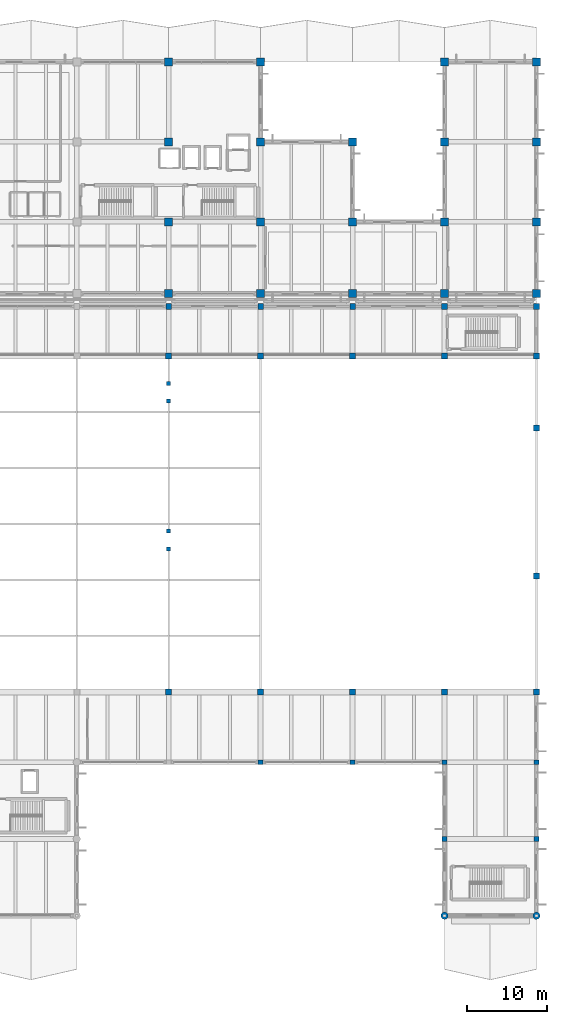
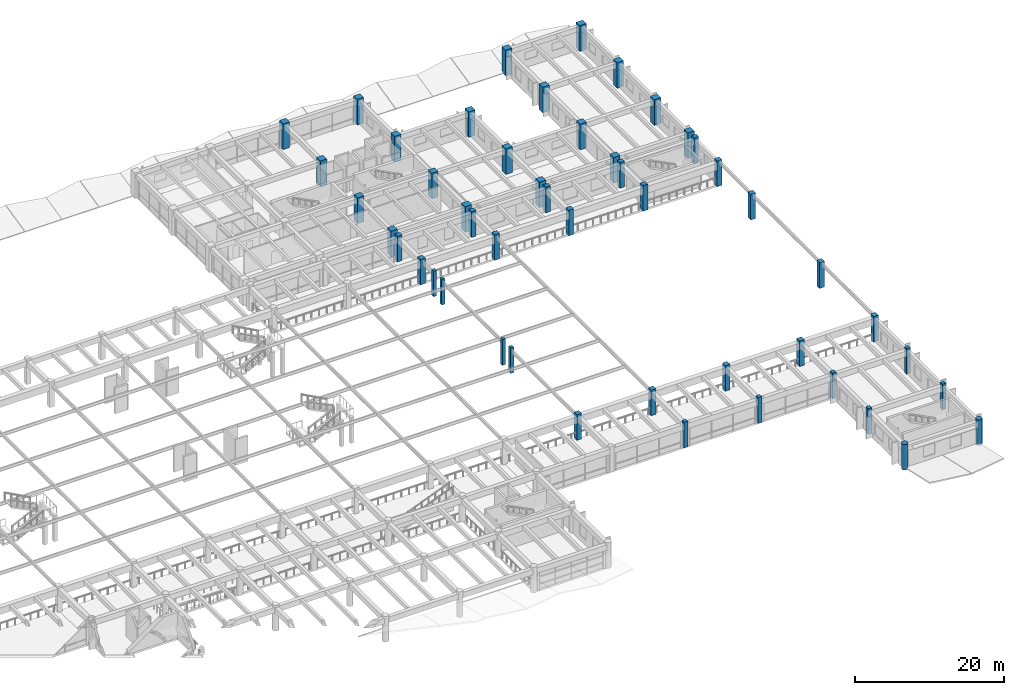
# One storey, part 2 of 98: 48 columns.
"""IFC4 building model written with IfcOpenShell, lengths in metres."""

import ifcopenshell
import ifcopenshell.guid

model = None  # the IFC model being written
_history = None  # IfcOwnerHistory: only IFC2X3 demands one
_inside = {}  # id of a spatial element -> (the spatial element, [elements in it])
_under = {}  # id of a project, library or spatial element -> (it, [spatial elements below it])
_declared = {}  # id of a project -> (the project, [libraries it declares])
_typed = {}  # id of a type object -> (the type object, [elements of that type])
_made_of = {}  # id of a material, layer set ... -> (it, [elements and type objects made of it])


def new_model(schema):
    """Start an empty IFC model of exactly this schema.

    Asked for "IFC4X3", IfcOpenShell would pick the latest addendum, in which some entities
    have other attributes; the version numbers below select the first issue.
    IFC2X3 requires an IfcOwnerHistory on every rooted entity: one is made here for all.
    """
    global model, _history
    if schema == "IFC4X3":
        model = ifcopenshell.file(schema_version=(4, 3, 0, 0))
    else:
        model = ifcopenshell.file(schema=schema)
    _inside.clear()
    _under.clear()
    _declared.clear()
    _typed.clear()
    _made_of.clear()
    _history = None
    if model.schema == "IFC2X3":
        org = make("IfcOrganization", Name="unknown")
        user = make(
            "IfcPersonAndOrganization",
            ThePerson=make("IfcPerson", FamilyName="unknown"),
            TheOrganization=org,
        )
        app = make(
            "IfcApplication",
            ApplicationDeveloper=org,
            Version="unknown",
            ApplicationFullName="unknown",
            ApplicationIdentifier="unknown",
        )
        _history = make(
            "IfcOwnerHistory",
            OwningUser=user,
            OwningApplication=app,
            ChangeAction="ADDED",
            CreationDate=0,
        )
    return model


def make(cls, **values):
    """One entity of the class cls with the attributes given. An attribute that is None is left unset."""
    return model.create_entity(
        cls, **{name: value for name, value in values.items() if value is not None}
    )


def rooted(cls, **values):
    """An entity with a GlobalId (a new one), such as an element, a storey or a relation."""
    return make(cls, GlobalId=ifcopenshell.guid.new(), OwnerHistory=_history, **values)


def si_unit(unit_type, name, prefix=None):
    """IfcSIUnit, for example si_unit("LENGTHUNIT", "METRE", prefix="MILLI")."""
    return make("IfcSIUnit", UnitType=unit_type, Prefix=prefix, Name=name)


def assignment(units):
    """IfcUnitAssignment: the units of a project."""
    return None if units is None else make("IfcUnitAssignment", Units=units)


def point(xyz):
    """IfcCartesianPoint."""
    return None if xyz is None else make("IfcCartesianPoint", Coordinates=xyz)


def direction(xyz):
    """IfcDirection."""
    return None if xyz is None else make("IfcDirection", DirectionRatios=xyz)


def frame(location, z_axis=None, x_axis=None):
    """IfcAxis2Placement3D, a coordinate frame: its origin and axes. An axis left out is left unset."""
    return make(
        "IfcAxis2Placement3D",
        Location=point(location),
        Axis=direction(z_axis),
        RefDirection=direction(x_axis),
    )


def frame_2d(location, x_axis=None):
    """IfcAxis2Placement2D, a coordinate frame in the plane: its origin and x axis."""
    return make(
        "IfcAxis2Placement2D", Location=point(location), RefDirection=direction(x_axis)
    )


def origin():
    """The frame at (0, 0, 0) with its axes left unset."""
    return frame((0.0, 0.0, 0.0))


def origin_2d():
    """The frame at (0, 0) in the plane with its x axis left unset."""
    return frame_2d((0.0, 0.0))


def place(relative_to, where):
    """IfcLocalPlacement: puts the frame where relative to a parent placement (None: the world)."""
    return make(
        "IfcLocalPlacement", PlacementRelTo=relative_to, RelativePlacement=where
    )


def context(
    kind, dimensions, precision=None, world=None, true_north=None, identifier=None
):
    """IfcGeometricRepresentationContext, for example the 3D "Model" context."""
    return make(
        "IfcGeometricRepresentationContext",
        ContextIdentifier=identifier,
        ContextType=kind,
        CoordinateSpaceDimension=dimensions,
        Precision=precision,
        WorldCoordinateSystem=world,
        TrueNorth=true_north,
    )


def subcontext(parent, identifier, kind, view, scale=None):
    """IfcGeometricRepresentationSubContext, for example "Body" below "Model"."""
    return make(
        "IfcGeometricRepresentationSubContext",
        ContextIdentifier=identifier,
        ContextType=kind,
        ParentContext=parent,
        TargetScale=scale,
        TargetView=view,
    )


def project(units=None, contexts=None):
    """IfcProject with its units and contexts."""
    return rooted(
        "IfcProject",
        Name="project",
        RepresentationContexts=contexts,
        UnitsInContext=assignment(units),
    )


def spatial(cls, under=None, at=None, **own):
    """A site, building, storey or space (cls), placed at a placement, below another one or the project."""
    s = rooted(cls, ObjectPlacement=at, **own)
    if under is not None:
        _under.setdefault(under.id(), (under, []))[1].append(s)
    return s


def profile(cls, at=None, kind="AREA", **sizes):
    """A parametric profile (cls). Its sizes go by their IFC names, for example OverallWidth=200.0."""
    return make(cls, ProfileType=kind, Position=at, **sizes)


def rectangle(**sizes):
    """IfcRectangleProfileDef."""
    return profile("IfcRectangleProfileDef", **sizes)


def circle(**sizes):
    """IfcCircleProfileDef."""
    return profile("IfcCircleProfileDef", **sizes)


def extrude(swept, where, along, depth):
    """IfcExtrudedAreaSolid: the profile swept, set in the frame where, extruded along a direction by depth."""
    return make(
        "IfcExtrudedAreaSolid",
        SweptArea=swept,
        Position=where,
        ExtrudedDirection=direction(along),
        Depth=depth,
    )


def shape(context_of_items, identifier, shape_type, items):
    """IfcShapeRepresentation: the items that make up one representation, for example the "Body"."""
    return make(
        "IfcShapeRepresentation",
        ContextOfItems=context_of_items,
        RepresentationIdentifier=identifier,
        RepresentationType=shape_type,
        Items=items,
    )


def material(Name=None, Category=None):
    """IfcMaterial."""
    return make("IfcMaterial", Name=Name, Category=Category)


def material_profile(
    of_material, cross_section, Name=None, Category=None, Priority=None
):
    """IfcMaterialProfile: a cross section and its material."""
    return make(
        "IfcMaterialProfile",
        Name=Name,
        Material=of_material,
        Profile=cross_section,
        Priority=Priority,
        Category=Category,
    )


def profile_set(profiles, Name=None, composite=None):
    """IfcMaterialProfileSet."""
    return make(
        "IfcMaterialProfileSet",
        Name=Name,
        MaterialProfiles=profiles,
        CompositeProfile=composite,
    )


def made_of(thing, what):
    """Note that an element or type object is made of a material, layer set ...; save() writes the relation."""
    if what is not None:
        _made_of.setdefault(what.id(), (what, []))[1].append(thing)
    return thing


def type_object(cls, material=None, **own):
    """A type object (cls), such as IfcWallType, which elements share."""
    return made_of(rooted(cls, **own), material)


def element(
    cls,
    number,
    at=None,
    inside=None,
    cuts=None,
    type_object=None,
    material=None,
    context=None,
    identifier="Body",
    shape_type=None,
    held_by="IfcProductDefinitionShape",
    body=None,
    shapes=None,
    **own,
):
    """One element of the class cls, such as IfcWall. Its Tag is "e" and its number.

    at: its placement. inside: the storey or other place that contains it. cuts: it is an
    opening in that element (IfcRelVoidsElement). A single representation is given by context,
    identifier, shape_type and body (its items); several are given by shapes. held_by: the class
    of the entity that holds the representations. save() writes the other relations.
    """
    e = rooted(cls, Tag="e%d" % number, ObjectPlacement=at, **own)
    if body is not None:
        shapes = [shape(context, identifier, shape_type, body)]
    if shapes is not None:
        e.Representation = make(held_by, Representations=shapes)
    if inside is not None:
        _inside.setdefault(inside.id(), (inside, []))[1].append(e)
    if cuts is not None:
        rooted(
            "IfcRelVoidsElement", RelatingBuildingElement=cuts, RelatedOpeningElement=e
        )
    if type_object is not None:
        _typed.setdefault(type_object.id(), (type_object, []))[1].append(e)
    return made_of(e, material)


def aggregate(whole, parts):
    """IfcRelAggregates: a whole, such as a stair, and the parts it consists of."""
    return rooted("IfcRelAggregates", RelatingObject=whole, RelatedObjects=parts)


def save(model, path):
    """Write the relations noted so far, then the file.

    IfcRelAggregates (storeys below a building ...), IfcRelContainedInSpatialStructure (elements
    in a storey), IfcRelDefinesByType, IfcRelAssociatesMaterial and IfcRelDeclares: one each for
    every whole, place, type object, material and project.
    """
    for whole, parts in _under.values():
        aggregate(whole, parts)
    for where, things in _inside.values():
        rooted(
            "IfcRelContainedInSpatialStructure",
            RelatedElements=things,
            RelatingStructure=where,
        )
    for kind, things in _typed.values():
        rooted("IfcRelDefinesByType", RelatedObjects=things, RelatingType=kind)
    for what, things in _made_of.values():
        rooted("IfcRelAssociatesMaterial", RelatedObjects=things, RelatingMaterial=what)
    for by, libraries in _declared.values():
        rooted("IfcRelDeclares", RelatingContext=by, RelatedDefinitions=libraries)
    model.write(path)


model = new_model("IFC4")

# Units and contexts
model_context = context("Model", 3, precision=1e-05, world=origin(), true_north=direction((0.0, 1.0)))
body_context = subcontext(model_context, "Body", "Model", "MODEL_VIEW")
ifc_project = project(units=[si_unit("LENGTHUNIT", "METRE"), si_unit("AREAUNIT", "SQUARE_METRE"), si_unit("VOLUMEUNIT", "CUBIC_METRE"), si_unit("PLANEANGLEUNIT", "RADIAN"), si_unit("MASSUNIT", "GRAM", prefix="KILO")], contexts=[model_context])

# Site, building, storey
site_placement = place(None, origin())
site = spatial("IfcSite", under=ifc_project, at=site_placement, CompositionType="ELEMENT")
building_placement = place(site_placement, origin())
building = spatial("IfcBuilding", under=site, at=building_placement, Name="Ologun Quay Terminus", CompositionType="ELEMENT")
storey_placement = place(building_placement, frame((0.0, 0.0, 4.199951171875)))
storey = spatial("IfcBuildingStorey", under=building, at=storey_placement, Name="L01", CompositionType="ELEMENT", Elevation=4.199951171875)

# Columns
ifc_material_1 = material(Name="Concrete C40/50", Category="concrete")
ifc_material_profile_1 = material_profile(ifc_material_1, rectangle(XDim=0.5, YDim=0.5, at=origin_2d()), Name="RC 500x500")
ifc_profile_set_1 = profile_set([ifc_material_profile_1], Name="Concrete C40/50")
column_type_1 = type_object("IfcColumnType", Name="Canopy Edge Column 500x500", PredefinedType="COLUMN", material=ifc_profile_set_1)
for number, where, z_axis, x_axis, name in (
    (1, (138.0, 53.89990234375, 0.0), (0.0, 0.0, 1.0), (1.0, 0.0, 0.0), "C8 Concourse Trimmer Column 13-1 L01"),
    (2, (138.0, 56.10009765625, 0.0), (0.0, 0.0, 1.0), (1.0, 0.0, 0.0), "C8 Concourse Trimmer Column 13-2 L01"),
    (3, (138.0, 72.39990234375, 0.0), (0.0, 0.0, 1.0), (1.0, 0.0, 0.0), "C8 Concourse Trimmer Column 13-3 L01"),
    (4, (138.0, 74.60009765625, 0.0), (0.0, 0.0, 1.0), (1.0, 0.0, 0.0), "C8 Concourse Trimmer Column 13-4 L01"),
):
    element("IfcColumn", number, at=place(storey_placement, frame(where, z_axis=z_axis, x_axis=x_axis)), inside=storey, type_object=column_type_1, Name=name, PredefinedType="COLUMN", context=body_context, shape_type="SweptSolid", body=[
        extrude(rectangle(XDim=0.5, YDim=0.5, at=origin_2d()), origin(), (0.0, 0.0, 1.0), 4.199951171875),
    ])
ifc_material_2 = material(Name="Concrete C45/55", Category="concrete")
ifc_material_profile_2 = material_profile(ifc_material_2, rectangle(XDim=1.0, YDim=1.0, at=origin_2d()), Name="RC 1000x1000")
ifc_profile_set_2 = profile_set([ifc_material_profile_2], Name="Concrete C45/55")
column_type_2 = type_object("IfcColumnType", Name="Courtyard Wing Mid-Lower Column 1000x1000", PredefinedType="COLUMN", material=ifc_profile_set_2)
for number, where, z_axis, x_axis, name in (
    (5, (138.0, 85.800048828125, 0.0), (0.0, 0.0, 1.0), (1.0, 0.0, 0.0), "C2 Column 13/G2 L01"),
    (6, (138.0, 94.800048828125, 0.0), (0.0, 0.0, 1.0), (1.0, 0.0, 0.0), "C2 Column 13/H L01"),
    (7, (138.0, 104.800048828125, 0.0), (0.0, 0.0, 1.0), (1.0, 0.0, 0.0), "C2 Column 13/J L01"),
    (8, (138.0, 114.800048828125, 0.0), (0.0, 0.0, 1.0), (1.0, 0.0, 0.0), "C2 Column 13/K L01"),
    (9, (149.5, 85.800048828125, 0.0), (0.0, 0.0, 1.0), (1.0, 0.0, 0.0), "C2 Column 14/G2 L01"),
    (10, (149.5, 94.800048828125, 0.0), (0.0, 0.0, 1.0), (1.0, 0.0, 0.0), "C2 Column 14/H L01"),
    (11, (149.5, 104.800048828125, 0.0), (0.0, 0.0, 1.0), (1.0, 0.0, 0.0), "C2 Column 14/J L01"),
    (12, (149.5, 114.800048828125, 0.0), (0.0, 0.0, 1.0), (1.0, 0.0, 0.0), "C2 Column 14/K L01"),
    (13, (161.0, 85.800048828125, 0.0), (0.0, 0.0, 1.0), (1.0, 0.0, 0.0), "C2 Column 15/G2 L01"),
    (14, (161.0, 94.800048828125, 0.0), (0.0, 0.0, 1.0), (1.0, 0.0, 0.0), "C2 Column 15/H L01"),
    (15, (161.0, 104.800048828125, 0.0), (0.0, 0.0, 1.0), (1.0, 0.0, 0.0), "C2 Column 15/J L01"),
    (16, (172.5, 85.800048828125, 0.0), (0.0, 0.0, 1.0), (1.0, 0.0, 0.0), "C2 Column 16/G2 L01"),
    (17, (172.5, 94.800048828125, 0.0), (0.0, 0.0, 1.0), (1.0, 0.0, 0.0), "C2 Column 16/H L01"),
    (18, (172.5, 104.800048828125, 0.0), (0.0, 0.0, 1.0), (1.0, 0.0, 0.0), "C2 Column 16/J L01"),
    (19, (172.5, 114.800048828125, 0.0), (0.0, 0.0, 1.0), (1.0, 0.0, 0.0), "C2 Column 16/K L01"),
    (20, (184.0, 85.800048828125, 0.0), (0.0, 0.0, 1.0), (1.0, 0.0, 0.0), "C2 Column 17/G2 L01"),
    (21, (184.0, 94.800048828125, 0.0), (0.0, 0.0, 1.0), (1.0, 0.0, 0.0), "C2 Column 17/H L01"),
    (22, (184.0, 104.800048828125, 0.0), (0.0, 0.0, 1.0), (1.0, 0.0, 0.0), "C2 Column 17/J L01"),
    (23, (184.0, 114.800048828125, 0.0), (0.0, 0.0, 1.0), (1.0, 0.0, 0.0), "C2 Column 17/K L01"),
):
    element("IfcColumn", number, at=place(storey_placement, frame(where, z_axis=z_axis, x_axis=x_axis)), inside=storey, type_object=column_type_2, Name=name, PredefinedType="COLUMN", context=body_context, shape_type="SweptSolid", body=[
        extrude(rectangle(XDim=1.0, YDim=1.0, at=origin_2d()), origin(), (0.0, 0.0, 1.0), 4.199951171875),
    ])
ifc_material_3 = material(Name="Concrete C40/50", Category="concrete")
ifc_material_profile_3 = material_profile(ifc_material_3, rectangle(XDim=0.60009765625, YDim=0.60009765625, at=origin_2d()), Name="RC 600x600")
ifc_profile_set_3 = profile_set([ifc_material_profile_3], Name="Concrete C40/50")
column_type_3 = type_object("IfcColumnType", Name="Podium Retail Column 600x600", PredefinedType="COLUMN", material=ifc_profile_set_3)
for number, where, z_axis, x_axis, name in (
    (24, (149.5, 27.199951171875, 0.0), (0.0, 0.0, 1.0), (1.0, 0.0, 0.0), "C7 Column 14/D L01"),
    (25, (161.0, 27.199951171875, 0.0), (0.0, 0.0, 1.0), (1.0, 0.0, 0.0), "C7 Column 15/D L01"),
    (26, (172.5, 17.60009765625, 0.0), (0.0, 0.0, 1.0), (1.0, 0.0, 0.0), "C7 Column 16/C L01"),
    (27, (172.5, 27.199951171875, 0.0), (0.0, 0.0, 1.0), (1.0, 0.0, 0.0), "C7 Column 16/D L01"),
    (28, (184.0, 17.60009765625, 0.0), (0.0, 0.0, 1.0), (1.0, 0.0, 0.0), "C7 Column 17/C L01"),
    (29, (184.0, 27.199951171875, 0.0), (0.0, 0.0, 1.0), (1.0, 0.0, 0.0), "C7 Column 17/D L01"),
):
    element("IfcColumn", number, at=place(storey_placement, frame(where, z_axis=z_axis, x_axis=x_axis)), inside=storey, type_object=column_type_3, Name=name, PredefinedType="COLUMN", context=body_context, shape_type="SweptSolid", body=[
        extrude(rectangle(XDim=0.60009765625, YDim=0.60009765625, at=origin_2d()), origin(), (0.0, 0.0, 1.0), 4.199951171875),
    ])
ifc_material_4 = material(Name="Concrete C45/55", Category="concrete")
ifc_material_profile_4 = material_profile(ifc_material_4, rectangle(XDim=0.75, YDim=0.75, at=origin_2d()), Name="RC 750x750")
ifc_profile_set_4 = profile_set([ifc_material_profile_4], Name="Concrete C45/55")
column_type_4 = type_object("IfcColumnType", Name="Station Arch Pier Stem 750x750", PredefinedType="COLUMN", material=ifc_profile_set_4)
for number, where, z_axis, x_axis, name in (
    (30, (138.0, 36.0, 0.0), (0.0, 0.0, 1.0), (1.0, 0.0, 0.0), "C5 Column 13/E L01"),
    (31, (138.0, 78.0, 0.0), (0.0, 0.0, 1.0), (1.0, 0.0, 0.0), "C5 Column 13/F L01"),
    (32, (149.5, 36.0, 0.0), (0.0, 0.0, 1.0), (1.0, 0.0, 0.0), "C5 Column 14/E L01"),
    (33, (149.5, 78.0, 0.0), (0.0, 0.0, 1.0), (1.0, 0.0, 0.0), "C5 Column 14/F L01"),
    (34, (161.0, 36.0, 0.0), (0.0, 0.0, 1.0), (1.0, 0.0, 0.0), "C5 Column 15/E L01"),
    (35, (161.0, 78.0, 0.0), (0.0, 0.0, 1.0), (1.0, 0.0, 0.0), "C5 Column 15/F L01"),
    (36, (172.5, 36.0, 0.0), (0.0, 0.0, 1.0), (1.0, 0.0, 0.0), "C5 Column 16/E L01"),
    (37, (172.5, 78.0, 0.0), (0.0, 0.0, 1.0), (1.0, 0.0, 0.0), "C5 Column 16/F L01"),
    (38, (184.0, 36.0, 0.0), (0.0, 0.0, 1.0), (1.0, 0.0, 0.0), "C5 Column 17/E L01"),
    (39, (184.0, 78.0, 0.0), (0.0, 0.0, 1.0), (1.0, 0.0, 0.0), "C5 Column 17/F L01"),
    (40, (184.0, 50.5, 0.0), (0.0, 0.0, 1.0), (1.0, 0.0, 0.0), "C5 Gable Mullion Column 17-Y50 L01"),
    (41, (184.0, 69.0, 0.0), (0.0, 0.0, 1.0), (1.0, 0.0, 0.0), "C5 Gable Mullion Column 17-Y69 L01"),
):
    element("IfcColumn", number, at=place(storey_placement, frame(where, z_axis=z_axis, x_axis=x_axis)), inside=storey, type_object=column_type_4, Name=name, PredefinedType="COLUMN", context=body_context, shape_type="SweptSolid", body=[
        extrude(rectangle(XDim=0.75, YDim=0.75, at=origin_2d()), origin(), (0.0, 0.0, 1.0), 4.199951171875),
    ])
ifc_material_5 = material(Name="Concrete C40/50", Category="concrete")
ifc_material_profile_5 = material_profile(ifc_material_5, rectangle(XDim=0.699951171875, YDim=0.699951171875, at=origin_2d()), Name="RC 700x700")
ifc_profile_set_5 = profile_set([ifc_material_profile_5], Name="Concrete C40/50")
column_type_5 = type_object("IfcColumnType", Name="Station Concourse Column 700x700", PredefinedType="COLUMN", material=ifc_profile_set_5)
for number, where, z_axis, x_axis, name in (
    (42, (138.0, 84.199951171875, 0.0), (0.0, 0.0, 1.0), (1.0, 0.0, 0.0), "C6 Column 13/G1 L01"),
    (43, (149.5, 84.199951171875, 0.0), (0.0, 0.0, 1.0), (1.0, 0.0, 0.0), "C6 Column 14/G1 L01"),
    (44, (161.0, 84.199951171875, 0.0), (0.0, 0.0, 1.0), (1.0, 0.0, 0.0), "C6 Column 15/G1 L01"),
    (45, (172.5, 84.199951171875, 0.0), (0.0, 0.0, 1.0), (1.0, 0.0, 0.0), "C6 Column 16/G1 L01"),
    (46, (184.0, 84.199951171875, 0.0), (0.0, 0.0, 1.0), (1.0, 0.0, 0.0), "C6 Column 17/G1 L01"),
):
    element("IfcColumn", number, at=place(storey_placement, frame(where, z_axis=z_axis, x_axis=x_axis)), inside=storey, type_object=column_type_5, Name=name, PredefinedType="COLUMN", context=body_context, shape_type="SweptSolid", body=[
        extrude(rectangle(XDim=0.699951171875, YDim=0.699951171875, at=origin_2d()), origin(), (0.0, 0.0, 1.0), 4.199951171875),
    ])
ifc_material_6 = material(Name="Concrete C45/55", Category="concrete")
ifc_material_profile_6 = material_profile(ifc_material_6, circle(Radius=0.449951171875, at=origin_2d()), Name="RC D900")
ifc_profile_set_6 = profile_set([ifc_material_profile_6], Name="Concrete C45/55")
column_type_6 = type_object("IfcColumnType", Name="Ticket Hall Sculpted Circular Column D900", PredefinedType="COLUMN", material=ifc_profile_set_6)
for number, where, z_axis, x_axis, name in (
    (47, (172.5, 8.0, 0.0), (0.0, 0.0, 1.0), (1.0, 0.0, 0.0), "C9 Column 16/B L01"),
    (48, (184.0, 8.0, 0.0), (0.0, 0.0, 1.0), (1.0, 0.0, 0.0), "C9 Column 17/B L01"),
):
    element("IfcColumn", number, at=place(storey_placement, frame(where, z_axis=z_axis, x_axis=x_axis)), inside=storey, type_object=column_type_6, Name=name, PredefinedType="COLUMN", context=body_context, shape_type="SweptSolid", body=[
        extrude(circle(Radius=0.449951171875, at=origin_2d()), origin(), (0.0, 0.0, 1.0), 4.199951171875),
    ])

save(model, "model.ifc")
